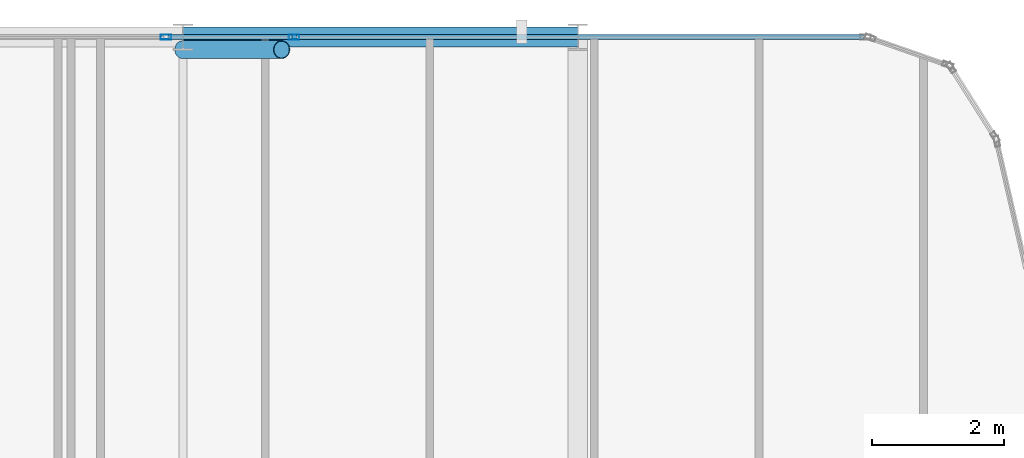
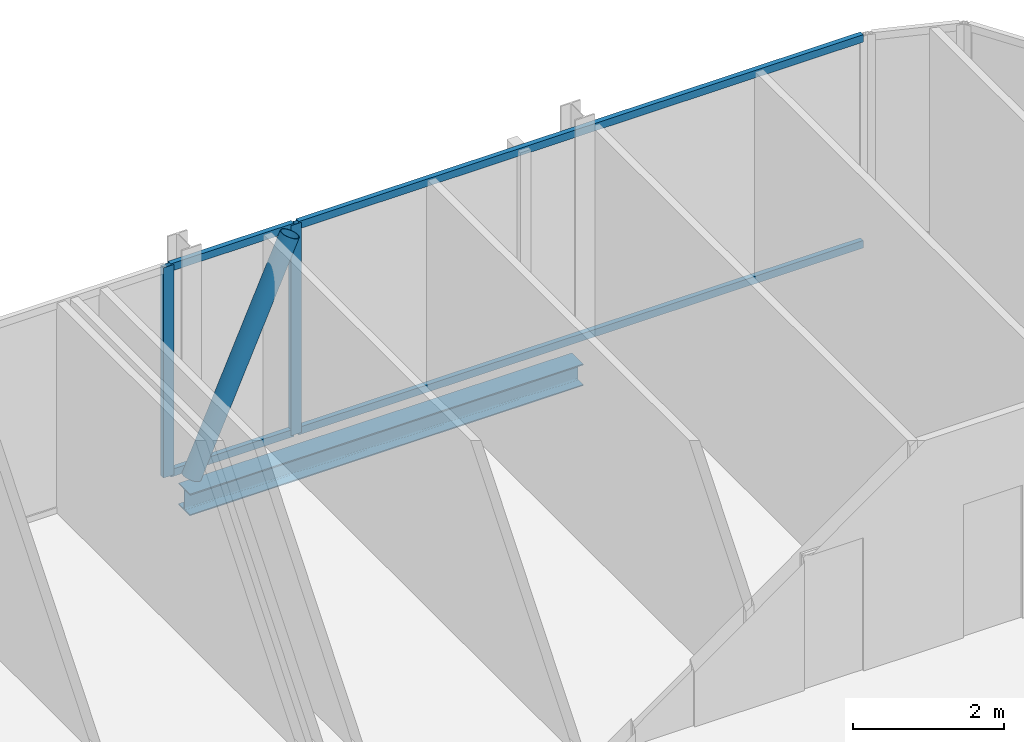
# One storey, part 19 of 30: 7 members, 1 beam, 3 elements without a shape of their own.
"""IFC4 building model written with IfcOpenShell, lengths in metres."""

import ifcopenshell
import ifcopenshell.guid

model = None  # the IFC model being written
_history = None  # IfcOwnerHistory: only IFC2X3 demands one
_inside = {}  # id of a spatial element -> (the spatial element, [elements in it])
_under = {}  # id of a project, library or spatial element -> (it, [spatial elements below it])
_declared = {}  # id of a project -> (the project, [libraries it declares])
_typed = {}  # id of a type object -> (the type object, [elements of that type])
_made_of = {}  # id of a material, layer set ... -> (it, [elements and type objects made of it])


def new_model(schema):
    """Start an empty IFC model of exactly this schema.

    Asked for "IFC4X3", IfcOpenShell would pick the latest addendum, in which some entities
    have other attributes; the version numbers below select the first issue.
    IFC2X3 requires an IfcOwnerHistory on every rooted entity: one is made here for all.
    """
    global model, _history
    if schema == "IFC4X3":
        model = ifcopenshell.file(schema_version=(4, 3, 0, 0))
    else:
        model = ifcopenshell.file(schema=schema)
    _inside.clear()
    _under.clear()
    _declared.clear()
    _typed.clear()
    _made_of.clear()
    _history = None
    if model.schema == "IFC2X3":
        org = make("IfcOrganization", Name="unknown")
        user = make(
            "IfcPersonAndOrganization",
            ThePerson=make("IfcPerson", FamilyName="unknown"),
            TheOrganization=org,
        )
        app = make(
            "IfcApplication",
            ApplicationDeveloper=org,
            Version="unknown",
            ApplicationFullName="unknown",
            ApplicationIdentifier="unknown",
        )
        _history = make(
            "IfcOwnerHistory",
            OwningUser=user,
            OwningApplication=app,
            ChangeAction="ADDED",
            CreationDate=0,
        )
    return model


def make(cls, **values):
    """One entity of the class cls with the attributes given. An attribute that is None is left unset."""
    return model.create_entity(
        cls, **{name: value for name, value in values.items() if value is not None}
    )


def rooted(cls, **values):
    """An entity with a GlobalId (a new one), such as an element, a storey or a relation."""
    return make(cls, GlobalId=ifcopenshell.guid.new(), OwnerHistory=_history, **values)


def si_unit(unit_type, name, prefix=None):
    """IfcSIUnit, for example si_unit("LENGTHUNIT", "METRE", prefix="MILLI")."""
    return make("IfcSIUnit", UnitType=unit_type, Prefix=prefix, Name=name)


def assignment(units):
    """IfcUnitAssignment: the units of a project."""
    return None if units is None else make("IfcUnitAssignment", Units=units)


def point(xyz):
    """IfcCartesianPoint."""
    return None if xyz is None else make("IfcCartesianPoint", Coordinates=xyz)


def direction(xyz):
    """IfcDirection."""
    return None if xyz is None else make("IfcDirection", DirectionRatios=xyz)


def frame(location, z_axis=None, x_axis=None):
    """IfcAxis2Placement3D, a coordinate frame: its origin and axes. An axis left out is left unset."""
    return make(
        "IfcAxis2Placement3D",
        Location=point(location),
        Axis=direction(z_axis),
        RefDirection=direction(x_axis),
    )


def frame_2d(location, x_axis=None):
    """IfcAxis2Placement2D, a coordinate frame in the plane: its origin and x axis."""
    return make(
        "IfcAxis2Placement2D", Location=point(location), RefDirection=direction(x_axis)
    )


def origin():
    """The frame at (0, 0, 0) with its axes left unset."""
    return frame((0.0, 0.0, 0.0))


def origin_2d():
    """The frame at (0, 0) in the plane with its x axis left unset."""
    return frame_2d((0.0, 0.0))


def place(relative_to, where):
    """IfcLocalPlacement: puts the frame where relative to a parent placement (None: the world)."""
    return make(
        "IfcLocalPlacement", PlacementRelTo=relative_to, RelativePlacement=where
    )


def context(
    kind, dimensions, precision=None, world=None, true_north=None, identifier=None
):
    """IfcGeometricRepresentationContext, for example the 3D "Model" context."""
    return make(
        "IfcGeometricRepresentationContext",
        ContextIdentifier=identifier,
        ContextType=kind,
        CoordinateSpaceDimension=dimensions,
        Precision=precision,
        WorldCoordinateSystem=world,
        TrueNorth=true_north,
    )


def subcontext(parent, identifier, kind, view, scale=None):
    """IfcGeometricRepresentationSubContext, for example "Body" below "Model"."""
    return make(
        "IfcGeometricRepresentationSubContext",
        ContextIdentifier=identifier,
        ContextType=kind,
        ParentContext=parent,
        TargetScale=scale,
        TargetView=view,
    )


def project(units=None, contexts=None):
    """IfcProject with its units and contexts."""
    return rooted(
        "IfcProject",
        Name="project",
        RepresentationContexts=contexts,
        UnitsInContext=assignment(units),
    )


def spatial(cls, under=None, at=None, **own):
    """A site, building, storey or space (cls), placed at a placement, below another one or the project."""
    s = rooted(cls, ObjectPlacement=at, **own)
    if under is not None:
        _under.setdefault(under.id(), (under, []))[1].append(s)
    return s


def profile(cls, at=None, kind="AREA", **sizes):
    """A parametric profile (cls). Its sizes go by their IFC names, for example OverallWidth=200.0."""
    return make(cls, ProfileType=kind, Position=at, **sizes)


def hollow_rectangle(**sizes):
    """IfcRectangleHollowProfileDef."""
    return profile("IfcRectangleHollowProfileDef", **sizes)


def hollow_circle(**sizes):
    """IfcCircleHollowProfileDef."""
    return profile("IfcCircleHollowProfileDef", **sizes)


def i_section(**sizes):
    """IfcIShapeProfileDef."""
    return profile("IfcIShapeProfileDef", **sizes)


def extrude(swept, where, along, depth):
    """IfcExtrudedAreaSolid: the profile swept, set in the frame where, extruded along a direction by depth."""
    return make(
        "IfcExtrudedAreaSolid",
        SweptArea=swept,
        Position=where,
        ExtrudedDirection=direction(along),
        Depth=depth,
    )


def shape(context_of_items, identifier, shape_type, items):
    """IfcShapeRepresentation: the items that make up one representation, for example the "Body"."""
    return make(
        "IfcShapeRepresentation",
        ContextOfItems=context_of_items,
        RepresentationIdentifier=identifier,
        RepresentationType=shape_type,
        Items=items,
    )


def material(Name=None, Category=None):
    """IfcMaterial."""
    return make("IfcMaterial", Name=Name, Category=Category)


def layer(
    of_material, thickness, ventilated=None, Name=None, Category=None, Priority=None
):
    """IfcMaterialLayer: one layer of a wall or slab, of a material (None: an air gap)."""
    return make(
        "IfcMaterialLayer",
        Material=of_material,
        LayerThickness=thickness,
        IsVentilated=ventilated,
        Name=Name,
        Category=Category,
        Priority=Priority,
    )


def layer_set(layers, Name=None):
    """IfcMaterialLayerSet."""
    return make("IfcMaterialLayerSet", MaterialLayers=layers, LayerSetName=Name)


def material_profile(
    of_material, cross_section, Name=None, Category=None, Priority=None
):
    """IfcMaterialProfile: a cross section and its material."""
    return make(
        "IfcMaterialProfile",
        Name=Name,
        Material=of_material,
        Profile=cross_section,
        Priority=Priority,
        Category=Category,
    )


def profile_set(profiles, Name=None, composite=None):
    """IfcMaterialProfileSet."""
    return make(
        "IfcMaterialProfileSet",
        Name=Name,
        MaterialProfiles=profiles,
        CompositeProfile=composite,
    )


def made_of(thing, what):
    """Note that an element or type object is made of a material, layer set ...; save() writes the relation."""
    if what is not None:
        _made_of.setdefault(what.id(), (what, []))[1].append(thing)
    return thing


def type_object(cls, material=None, **own):
    """A type object (cls), such as IfcWallType, which elements share."""
    return made_of(rooted(cls, **own), material)


def element(
    cls,
    number,
    at=None,
    inside=None,
    cuts=None,
    type_object=None,
    material=None,
    context=None,
    identifier="Body",
    shape_type=None,
    held_by="IfcProductDefinitionShape",
    body=None,
    shapes=None,
    **own,
):
    """One element of the class cls, such as IfcWall. Its Tag is "e" and its number.

    at: its placement. inside: the storey or other place that contains it. cuts: it is an
    opening in that element (IfcRelVoidsElement). A single representation is given by context,
    identifier, shape_type and body (its items); several are given by shapes. held_by: the class
    of the entity that holds the representations. save() writes the other relations.
    """
    e = rooted(cls, Tag="e%d" % number, ObjectPlacement=at, **own)
    if body is not None:
        shapes = [shape(context, identifier, shape_type, body)]
    if shapes is not None:
        e.Representation = make(held_by, Representations=shapes)
    if inside is not None:
        _inside.setdefault(inside.id(), (inside, []))[1].append(e)
    if cuts is not None:
        rooted(
            "IfcRelVoidsElement", RelatingBuildingElement=cuts, RelatedOpeningElement=e
        )
    if type_object is not None:
        _typed.setdefault(type_object.id(), (type_object, []))[1].append(e)
    return made_of(e, material)


def aggregate(whole, parts):
    """IfcRelAggregates: a whole, such as a stair, and the parts it consists of."""
    return rooted("IfcRelAggregates", RelatingObject=whole, RelatedObjects=parts)


def save(model, path):
    """Write the relations noted so far, then the file.

    IfcRelAggregates (storeys below a building ...), IfcRelContainedInSpatialStructure (elements
    in a storey), IfcRelDefinesByType, IfcRelAssociatesMaterial and IfcRelDeclares: one each for
    every whole, place, type object, material and project.
    """
    for whole, parts in _under.values():
        aggregate(whole, parts)
    for where, things in _inside.values():
        rooted(
            "IfcRelContainedInSpatialStructure",
            RelatedElements=things,
            RelatingStructure=where,
        )
    for kind, things in _typed.values():
        rooted("IfcRelDefinesByType", RelatedObjects=things, RelatingType=kind)
    for what, things in _made_of.values():
        rooted("IfcRelAssociatesMaterial", RelatedObjects=things, RelatingMaterial=what)
    for by, libraries in _declared.values():
        rooted("IfcRelDeclares", RelatingContext=by, RelatedDefinitions=libraries)
    model.write(path)


model = new_model("IFC4")

# Units and contexts
model_context = context("Model", 3, precision=1e-05, world=origin(), true_north=direction((0.0, 1.0)))
body_context = subcontext(model_context, "Body", "Model", "MODEL_VIEW")
ifc_project = project(units=[si_unit("LENGTHUNIT", "METRE"), si_unit("AREAUNIT", "SQUARE_METRE"), si_unit("VOLUMEUNIT", "CUBIC_METRE"), si_unit("PLANEANGLEUNIT", "RADIAN"), si_unit("MASSUNIT", "GRAM", prefix="KILO")], contexts=[model_context])

# Site, building, storey
site_placement = place(None, origin())
site = spatial("IfcSite", under=ifc_project, at=site_placement, CompositionType="ELEMENT")
building_placement = place(site_placement, origin())
building = spatial("IfcBuilding", under=site, at=building_placement, Name="Keshet Zoharim Tower", CompositionType="ELEMENT")
storey_placement = place(building_placement, frame((0.0, 0.0, 280.60009765625)))
storey = spatial("IfcBuildingStorey", under=building, at=storey_placement, Name="L70", CompositionType="ELEMENT", Elevation=280.60009765625)

# Beam
ifc_material_1 = material(Name="Steel S355", Category="steel")
ifc_material_profile_1 = material_profile(ifc_material_1, i_section(OverallWidth=0.300048828125, OverallDepth=0.35009765625, WebThickness=0.010009765625, FlangeThickness=0.017578125, FilletRadius=0.027099609375, at=origin_2d()), Name="HEA360")
ifc_profile_set_1 = profile_set([ifc_material_profile_1], Name="Steel S355")
beam_type = type_object("IfcBeamType", Name="BM-PRI-HA360", PredefinedType="BEAM", material=ifc_profile_set_1)
beam_placement = place(storey_placement, frame((27.0, 53.89990234375, -0.485107421875), z_axis=(1.0, 0.0, 0.0), x_axis=(0.0, 1.0, 0.0)))
element("IfcBeam", 1, at=beam_placement, inside=storey, type_object=beam_type, Name="L70 Primary Girder X-011", PredefinedType="BEAM", context=body_context, shape_type="SweptSolid", body=[
    extrude(i_section(OverallWidth=0.300048828125, OverallDepth=0.35009765625, WebThickness=0.010009765625, FlangeThickness=0.017578125, FilletRadius=0.027099609375, at=origin_2d()), origin(), (0.0, 0.0, 1.0), 6.0),
])

# Curtain wall, member
ifc_material_2 = material(Name="Aluminium 6063-T6", Category="aluminium")
ifc_layer = layer(ifc_material_2, 0.260009765625)
ifc_layer_set = layer_set([ifc_layer], Name="Aluminium 6063-T6")
curtain_wall_type = type_object("IfcCurtainWallType", Name="CW-SYS-06", PredefinedType="NOTDEFINED", material=ifc_layer_set)
curtain_wall_1_placement = place(storey_placement, origin())
curtain_wall_1 = element("IfcCurtainWall", 2, at=curtain_wall_1_placement, inside=storey, type_object=curtain_wall_type, Name="L70 Unitised Curtain Wall 06", PredefinedType="NOTDEFINED")
ifc_material_profile_2 = material_profile(ifc_material_2, hollow_rectangle(XDim=0.074951171875, YDim=0.159912109375, WallThickness=0.00390625, at=origin_2d()), Name="MUL-75x160")
ifc_profile_set_2 = profile_set([ifc_material_profile_2], Name="Aluminium 6063-T6")
member_type_1 = type_object("IfcMemberType", Name="CWM-M15", PredefinedType="MULLION", material=ifc_profile_set_2)
member_1_placement = place(storey_placement, frame((26.740234375, 53.89990234375, 0.0), z_axis=(0.0, 0.0, 1.0), x_axis=(0.0, 1.0, 0.0)))
member_1 = element("IfcMember", 3, at=member_1_placement, type_object=member_type_1, Name="CW-06 mullion 2", PredefinedType="MULLION", context=body_context, shape_type="SweptSolid", body=[
    extrude(hollow_rectangle(XDim=0.074951171875, YDim=0.159912109375, WallThickness=0.00390625, at=origin_2d()), origin(), (0.0, 0.0, 1.0), 3.389892578125),
])
aggregate(curtain_wall_1, [member_1])

# Curtain wall, members
curtain_wall_2_placement = place(storey_placement, origin())
curtain_wall_2 = element("IfcCurtainWall", 4, at=curtain_wall_2_placement, inside=storey, type_object=curtain_wall_type, Name="L70 Unitised Curtain Wall 06 Part 2", PredefinedType="NOTDEFINED")
member_2_placement = place(storey_placement, frame((28.689697265625, 53.89990234375, 0.0), z_axis=(0.0, 0.0, 1.0), x_axis=(0.0, 1.0, 0.0)))
member_2 = element("IfcMember", 5, at=member_2_placement, type_object=member_type_1, Name="CW-06 mullion 2", PredefinedType="MULLION", context=body_context, shape_type="SweptSolid", body=[
    extrude(hollow_rectangle(XDim=0.074951171875, YDim=0.159912109375, WallThickness=0.00390625, at=origin_2d()), origin(), (0.0, 0.0, 1.0), 3.389892578125),
])
ifc_material_profile_3 = material_profile(ifc_material_2, hollow_rectangle(XDim=0.074951171875, YDim=0.1201171875, WallThickness=0.00390625, at=origin_2d()), Name="TRN-75x120")
ifc_profile_set_3 = profile_set([ifc_material_profile_3], Name="Aluminium 6063-T6")
member_type_2 = type_object("IfcMemberType", Name="CWT-T12", PredefinedType="USERDEFINED", material=ifc_profile_set_3)
member_3_placement = place(storey_placement, frame((26.775146484375, 53.89990234375, 0.034912109375), z_axis=(1.0, 0.0, 0.0), x_axis=(0.0, 1.0, 0.0)))
member_3 = element("IfcMember", 6, at=member_3_placement, type_object=member_type_2, Name="CW-06 transom 1.1", ObjectType="TRANSOM", PredefinedType="USERDEFINED", context=body_context, shape_type="SweptSolid", body=[
    extrude(hollow_rectangle(XDim=0.074951171875, YDim=0.1201171875, WallThickness=0.00390625, at=origin_2d()), origin(), (0.0, 0.0, 1.0), 1.879638671875),
])
member_4_placement = place(storey_placement, frame((26.775146484375, 53.89990234375, 3.35498046875), z_axis=(1.0, 0.0, 0.0), x_axis=(0.0, 1.0, 0.0)))
member_4 = element("IfcMember", 7, at=member_4_placement, type_object=member_type_2, Name="CW-06 transom 1.2", ObjectType="TRANSOM", PredefinedType="USERDEFINED", context=body_context, shape_type="SweptSolid", body=[
    extrude(hollow_rectangle(XDim=0.074951171875, YDim=0.1201171875, WallThickness=0.00390625, at=origin_2d()), origin(), (0.0, 0.0, 1.0), 1.879638671875),
])
aggregate(curtain_wall_2, [member_2, member_3, member_4])

curtain_wall_3_placement = place(storey_placement, origin())
curtain_wall_3 = element("IfcCurtainWall", 8, at=curtain_wall_3_placement, inside=storey, type_object=curtain_wall_type, Name="L70 Unitised Curtain Wall 06 Part 3", PredefinedType="NOTDEFINED")
member_5_placement = place(storey_placement, frame((28.724853515625, 53.89990234375, 0.034912109375), z_axis=(1.0, 0.0, 0.0), x_axis=(0.0, 1.0, 0.0)))
member_5 = element("IfcMember", 9, at=member_5_placement, type_object=member_type_2, Name="CW-06 transom 1.1", ObjectType="TRANSOM", PredefinedType="USERDEFINED", context=body_context, shape_type="SweptSolid", body=[
    extrude(hollow_rectangle(XDim=0.074951171875, YDim=0.1201171875, WallThickness=0.00390625, at=origin_2d()), origin(), (0.0, 0.0, 1.0), 8.6142578125),
])
member_6_placement = place(storey_placement, frame((28.724853515625, 53.89990234375, 3.35498046875), z_axis=(1.0, 0.0, 0.0), x_axis=(0.0, 1.0, 0.0)))
member_6 = element("IfcMember", 10, at=member_6_placement, type_object=member_type_2, Name="CW-06 transom 1.2", ObjectType="TRANSOM", PredefinedType="USERDEFINED", context=body_context, shape_type="SweptSolid", body=[
    extrude(hollow_rectangle(XDim=0.074951171875, YDim=0.1201171875, WallThickness=0.00390625, at=origin_2d()), origin(), (0.0, 0.0, 1.0), 8.6142578125),
])
aggregate(curtain_wall_3, [member_5, member_6])

# Member
ifc_material_profile_4 = material_profile(ifc_material_1, hollow_circle(Radius=0.136474609375, WallThickness=0.010009765625, at=origin_2d()), Name="CHS273x10")
ifc_profile_set_4 = profile_set([ifc_material_profile_4], Name="Steel S355")
member_type_3 = type_object("IfcMemberType", Name="MB-BR-C273", PredefinedType="BRACE", material=ifc_profile_set_4)
member_7_placement = place(storey_placement, frame((27.0, 53.7099609375, 0.0), z_axis=(0.40464689807, 0.0, 0.914473011019), x_axis=(0.0, 1.0, 0.0)))
element("IfcMember", 11, at=member_7_placement, inside=storey, type_object=member_type_3, Name="L70 Perimeter Tube Brace 03", PredefinedType="BRACE", context=body_context, shape_type="SweptSolid", body=[
    extrude(hollow_circle(Radius=0.136474609375, WallThickness=0.010009765625, at=origin_2d()), origin(), (0.0, 0.0, 1.0), 3.70703125),
])

save(model, "model.ifc")
